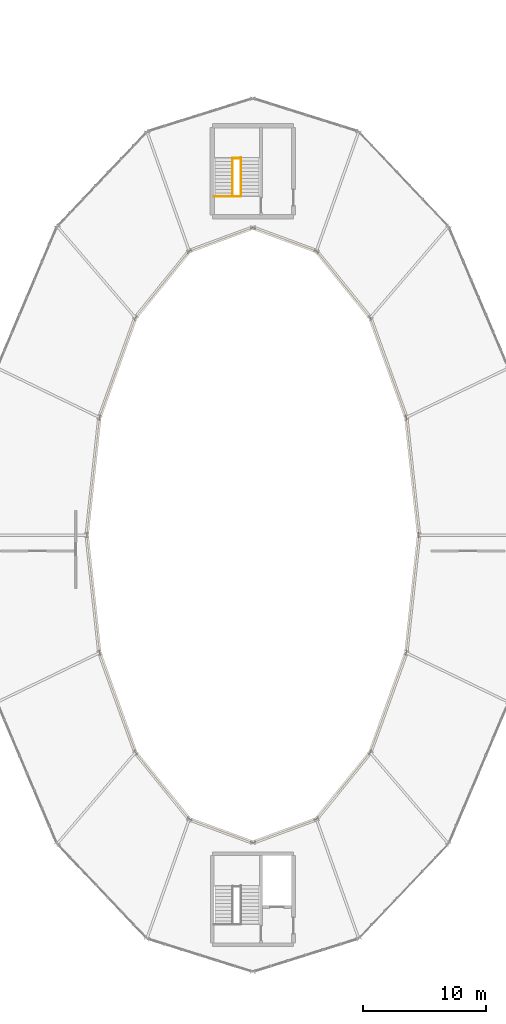
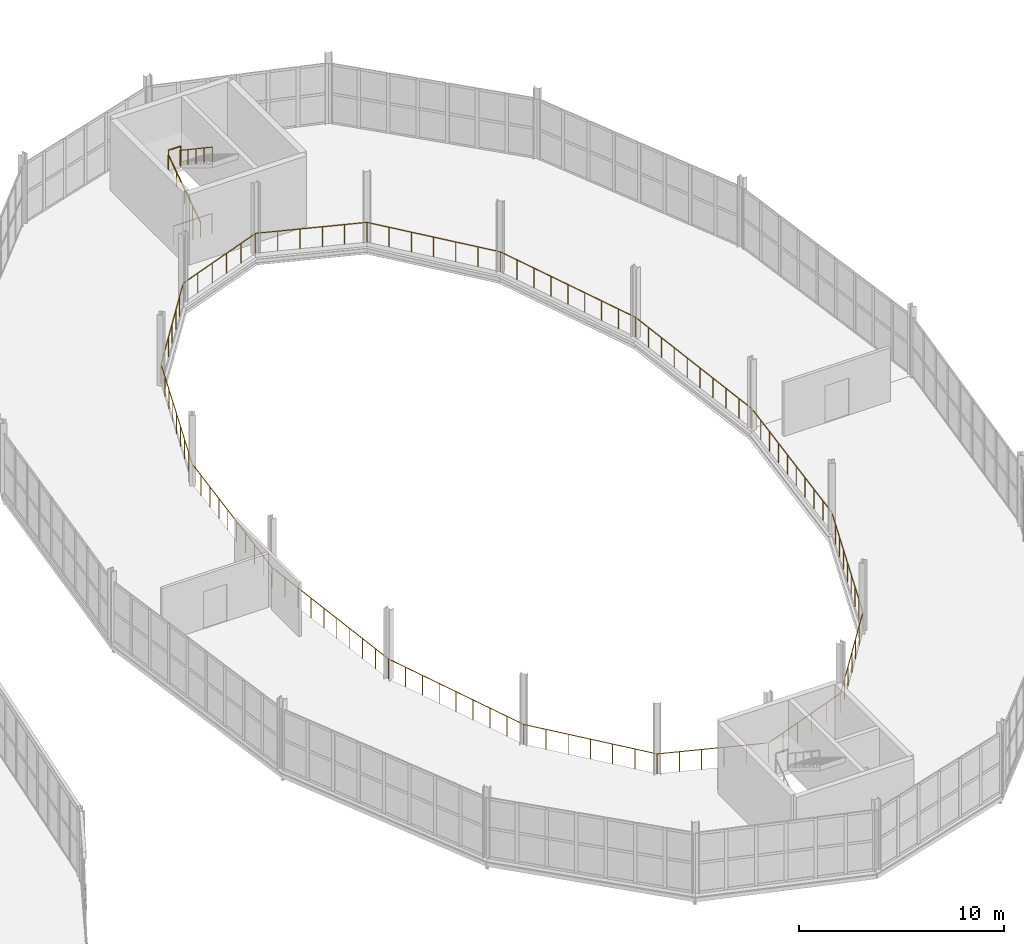
# One storey, part 158 of 161: 5 railings.
"""IFC4 building model written with IfcOpenShell, lengths in metres."""

from ifc_helpers import new_model, si_unit, direction, frame, origin, origin_2d, place, context, subcontext, project, spatial, circle, extrude, material, type_object, element, save


model = new_model("IFC4")

# Units and contexts
model_context = context("Model", 3, precision=1e-05, world=origin(), true_north=direction((0.0, 1.0)))
body_context = subcontext(model_context, "Body", "Model", "MODEL_VIEW")
ifc_project = project(units=[si_unit("LENGTHUNIT", "METRE"), si_unit("AREAUNIT", "SQUARE_METRE"), si_unit("VOLUMEUNIT", "CUBIC_METRE"), si_unit("PLANEANGLEUNIT", "RADIAN"), si_unit("MASSUNIT", "GRAM", prefix="KILO")], contexts=[model_context])

# Site, building, storey
site_placement = place(None, origin())
site = spatial("IfcSite", under=ifc_project, at=site_placement, CompositionType="ELEMENT")
building_placement = place(site_placement, origin())
building = spatial("IfcBuilding", under=site, at=building_placement, Name="Kildeholm Park Wholesale Market", CompositionType="ELEMENT")
storey_placement = place(building_placement, frame((0.0, 0.0, 5.39990234375)))
storey = spatial("IfcBuildingStorey", under=building, at=storey_placement, Name="L01", CompositionType="ELEMENT", Elevation=5.39990234375)

# Railings
ifc_material_1 = material(Name="Painted steel and laminated glass balustrade", Category="steel")
railing_type_1 = type_object("IfcRailingType", Name="Interior gallery and stairwell guard GR-IN1 1200 mm", PredefinedType="GUARDRAIL", material=ifc_material_1)
railing_1_placement = place(storey_placement, frame((184.860107421875, 122.030029296875, 0.0)))
element("IfcRailing", 1, at=railing_1_placement, inside=storey, type_object=railing_type_1, Name="Stair C13 upper floor well guard L01 RLG-0139", PredefinedType="GUARDRAIL", context=body_context, shape_type="SweptSolid", body=[
    extrude(circle(Radius=0.02392578125, at=origin_2d()), frame((0.0, 0.0, 1.17578125), z_axis=(1.0, 0.0, 0.0), x_axis=(0.0, 1.0, 0.0)), (0.0, 0.0, 1.0), 2.14990234375),
    extrude(circle(Radius=0.02099609375, at=origin_2d()), origin(), (0.0, 0.0, 1.0), 1.15185546875),
    extrude(circle(Radius=0.02099609375, at=origin_2d()), frame((1.074951171875, 0.0, 0.0)), (0.0, 0.0, 1.0), 1.15185546875),
    extrude(circle(Radius=0.02099609375, at=origin_2d()), frame((2.14990234375, 0.0, 0.0)), (0.0, 0.0, 1.0), 1.15185546875),
])
railing_2_placement = place(storey_placement, frame((186.360107421875, 125.14501953125, 2.10009765625)))
element("IfcRailing", 2, at=railing_2_placement, inside=storey, type_object=railing_type_1, Name="Stair C13 half-landing well guard L01 RLG-0142", PredefinedType="GUARDRAIL", context=body_context, shape_type="SweptSolid", body=[
    extrude(circle(Radius=0.02392578125, at=origin_2d()), frame((0.0, 0.0, 1.17578125), z_axis=(1.0, 0.0, 0.0), x_axis=(0.0, 1.0, 0.0)), (0.0, 0.0, 1.0), 0.68994140625),
    extrude(circle(Radius=0.02099609375, at=origin_2d()), origin(), (0.0, 0.0, 1.0), 1.15185546875),
    extrude(circle(Radius=0.02099609375, at=origin_2d()), frame((0.68994140625, 0.0, 0.0)), (0.0, 0.0, 1.0), 1.15185546875),
])
railing_3_placement = place(storey_placement, frame((201.5, 94.5, 0.0)))
element("IfcRailing", 3, at=railing_3_placement, inside=storey, type_object=railing_type_1, Name="Oval hall L01 gallery balustrade RLG-0179", PredefinedType="GUARDRAIL", context=body_context, shape_type="SweptSolid", body=[
    extrude(circle(Radius=0.02392578125, at=origin_2d()), frame((0.0, 0.0, 1.17578125), z_axis=(-0.106846684142, 0.99427550814, 0.0), x_axis=(-0.99427550814, -0.106846684142, 0.0)), (0.0, 0.0, 1.0), 9.6220703125),
    extrude(circle(Radius=0.02392578125, at=origin_2d()), frame((-1.028076171875, 9.56689453125, 1.17578125), z_axis=(-0.339339006409, 0.940664147679, 0.0), x_axis=(-0.940664147679, -0.339339006409, 0.0)), (0.0, 0.0, 1.0), 8.622802734375),
    extrude(circle(Radius=0.02392578125, at=origin_2d()), frame((-3.9541015625, 17.677978515625, 1.17578125), z_axis=(-0.628601322688, 0.777727701136, 0.0), x_axis=(-0.777727701136, -0.628601322688, 0.0)), (0.0, 0.0, 1.0), 6.9677734375),
    extrude(circle(Radius=0.02392578125, at=origin_2d()), frame((-8.333984375, 23.096923828125, 1.17578125), z_axis=(-0.93835447313, 0.345674532989, 0.0), x_axis=(-0.345674532989, -0.93835447313, 0.0)), (0.0, 0.0, 1.0), 5.50537109375),
    extrude(circle(Radius=0.02392578125, at=origin_2d()), frame((-13.5, 25.0, 1.17578125), z_axis=(-0.93835447313, -0.345674532989, 0.0), x_axis=(0.345674532989, -0.93835447313, 0.0)), (0.0, 0.0, 1.0), 5.50537109375),
    extrude(circle(Radius=0.02392578125, at=origin_2d()), frame((-18.666015625, 23.096923828125, 1.17578125), z_axis=(-0.628601322688, -0.777727701136, 0.0), x_axis=(0.777727701136, -0.628601322688, 0.0)), (0.0, 0.0, 1.0), 6.9677734375),
    extrude(circle(Radius=0.02392578125, at=origin_2d()), frame((-23.0458984375, 17.677978515625, 1.17578125), z_axis=(-0.339339006409, -0.940664147679, 0.0), x_axis=(0.940664147679, -0.339339006409, 0.0)), (0.0, 0.0, 1.0), 8.622802734375),
    extrude(circle(Radius=0.02392578125, at=origin_2d()), frame((-25.971923828125, 9.56689453125, 1.17578125), z_axis=(-0.106846684142, -0.99427550814, 0.0), x_axis=(0.99427550814, -0.106846684142, 0.0)), (0.0, 0.0, 1.0), 9.6220703125),
    extrude(circle(Radius=0.02392578125, at=origin_2d()), frame((-27.0, 0.0, 1.17578125), z_axis=(0.106846684142, -0.99427550814, 0.0), x_axis=(0.99427550814, 0.106846684142, 0.0)), (0.0, 0.0, 1.0), 9.6220703125),
    extrude(circle(Radius=0.02392578125, at=origin_2d()), frame((-25.971923828125, -9.56689453125, 1.17578125), z_axis=(0.339339006409, -0.940664147679, 0.0), x_axis=(0.940664147679, 0.339339006409, 0.0)), (0.0, 0.0, 1.0), 8.622802734375),
    extrude(circle(Radius=0.02392578125, at=origin_2d()), frame((-23.0458984375, -17.677978515625, 1.17578125), z_axis=(0.628601322688, -0.777727701136, 0.0), x_axis=(0.777727701136, 0.628601322688, 0.0)), (0.0, 0.0, 1.0), 6.9677734375),
    extrude(circle(Radius=0.02392578125, at=origin_2d()), frame((-18.666015625, -23.096923828125, 1.17578125), z_axis=(0.93835447313, -0.345674532989, 0.0), x_axis=(0.345674532989, 0.93835447313, 0.0)), (0.0, 0.0, 1.0), 5.50537109375),
    extrude(circle(Radius=0.02392578125, at=origin_2d()), frame((-13.5, -25.0, 1.17578125), z_axis=(0.93835447313, 0.345674532989, 0.0), x_axis=(-0.345674532989, 0.93835447313, 0.0)), (0.0, 0.0, 1.0), 5.50537109375),
    extrude(circle(Radius=0.02392578125, at=origin_2d()), frame((-8.333984375, -23.096923828125, 1.17578125), z_axis=(0.628601322688, 0.777727701136, 0.0), x_axis=(-0.777727701136, 0.628601322688, 0.0)), (0.0, 0.0, 1.0), 6.9677734375),
    extrude(circle(Radius=0.02392578125, at=origin_2d()), frame((-3.9541015625, -17.677978515625, 1.17578125), z_axis=(0.339339006409, 0.940664147679, 0.0), x_axis=(-0.940664147679, 0.339339006409, 0.0)), (0.0, 0.0, 1.0), 8.622802734375),
    extrude(circle(Radius=0.02392578125, at=origin_2d()), frame((-1.028076171875, -9.56689453125, 1.17578125), z_axis=(0.106846684142, 0.99427550814, 0.0), x_axis=(-0.99427550814, 0.106846684142, 0.0)), (0.0, 0.0, 1.0), 9.6220703125),
    extrude(circle(Radius=0.02099609375, at=origin_2d()), origin(), (0.0, 0.0, 1.0), 1.15185546875),
    extrude(circle(Radius=0.02099609375, at=origin_2d()), frame((-0.1142578125, 1.06298828125, 0.0)), (0.0, 0.0, 1.0), 1.15185546875),
    extrude(circle(Radius=0.02099609375, at=origin_2d()), frame((-0.228515625, 2.1259765625, 0.0)), (0.0, 0.0, 1.0), 1.15185546875),
    extrude(circle(Radius=0.02099609375, at=origin_2d()), frame((-0.3427734375, 3.18896484375, 0.0)), (0.0, 0.0, 1.0), 1.15185546875),
    extrude(circle(Radius=0.02099609375, at=origin_2d()), frame((-0.45703125, 4.251953125, 0.0)), (0.0, 0.0, 1.0), 1.15185546875),
    extrude(circle(Radius=0.02099609375, at=origin_2d()), frame((-0.571044921875, 5.31494140625, 0.0)), (0.0, 0.0, 1.0), 1.15185546875),
    extrude(circle(Radius=0.02099609375, at=origin_2d()), frame((-0.685302734375, 6.3779296875, 0.0)), (0.0, 0.0, 1.0), 1.15185546875),
    extrude(circle(Radius=0.02099609375, at=origin_2d()), frame((-0.799560546875, 7.44091796875, 0.0)), (0.0, 0.0, 1.0), 1.15185546875),
    extrude(circle(Radius=0.02099609375, at=origin_2d()), frame((-0.913818359375, 8.50390625, 0.0)), (0.0, 0.0, 1.0), 1.15185546875),
    extrude(circle(Radius=0.02099609375, at=origin_2d()), frame((-1.028076171875, 9.56689453125, 0.0)), (0.0, 0.0, 1.0), 1.15185546875),
    extrude(circle(Radius=0.02099609375, at=origin_2d()), frame((-1.393798828125, 10.580810546875, 0.0)), (0.0, 0.0, 1.0), 1.15185546875),
    extrude(circle(Radius=0.02099609375, at=origin_2d()), frame((-1.759521484375, 11.5947265625, 0.0)), (0.0, 0.0, 1.0), 1.15185546875),
    extrude(circle(Radius=0.02099609375, at=origin_2d()), frame((-2.125244140625, 12.608642578125, 0.0)), (0.0, 0.0, 1.0), 1.15185546875),
    extrude(circle(Radius=0.02099609375, at=origin_2d()), frame((-2.4912109375, 13.62255859375, 0.0)), (0.0, 0.0, 1.0), 1.15185546875),
    extrude(circle(Radius=0.02099609375, at=origin_2d()), frame((-2.85693359375, 14.63623046875, 0.0)), (0.0, 0.0, 1.0), 1.15185546875),
    extrude(circle(Radius=0.02099609375, at=origin_2d()), frame((-3.22265625, 15.650146484375, 0.0)), (0.0, 0.0, 1.0), 1.15185546875),
    extrude(circle(Radius=0.02099609375, at=origin_2d()), frame((-3.58837890625, 16.6640625, 0.0)), (0.0, 0.0, 1.0), 1.15185546875),
    extrude(circle(Radius=0.02099609375, at=origin_2d()), frame((-3.9541015625, 17.677978515625, 0.0)), (0.0, 0.0, 1.0), 1.15185546875),
    extrude(circle(Radius=0.02099609375, at=origin_2d()), frame((-4.68408203125, 18.5810546875, 0.0)), (0.0, 0.0, 1.0), 1.15185546875),
    extrude(circle(Radius=0.02099609375, at=origin_2d()), frame((-5.4140625, 19.484375, 0.0)), (0.0, 0.0, 1.0), 1.15185546875),
    extrude(circle(Radius=0.02099609375, at=origin_2d()), frame((-6.14404296875, 20.387451171875, 0.0)), (0.0, 0.0, 1.0), 1.15185546875),
    extrude(circle(Radius=0.02099609375, at=origin_2d()), frame((-6.8740234375, 21.29052734375, 0.0)), (0.0, 0.0, 1.0), 1.15185546875),
    extrude(circle(Radius=0.02099609375, at=origin_2d()), frame((-7.60400390625, 22.19384765625, 0.0)), (0.0, 0.0, 1.0), 1.15185546875),
    extrude(circle(Radius=0.02099609375, at=origin_2d()), frame((-8.333984375, 23.096923828125, 0.0)), (0.0, 0.0, 1.0), 1.15185546875),
    extrude(circle(Radius=0.02099609375, at=origin_2d()), frame((-9.3671875, 23.4775390625, 0.0)), (0.0, 0.0, 1.0), 1.15185546875),
    extrude(circle(Radius=0.02099609375, at=origin_2d()), frame((-10.400390625, 23.858154296875, 0.0)), (0.0, 0.0, 1.0), 1.15185546875),
    extrude(circle(Radius=0.02099609375, at=origin_2d()), frame((-11.43359375, 24.23876953125, 0.0)), (0.0, 0.0, 1.0), 1.15185546875),
    extrude(circle(Radius=0.02099609375, at=origin_2d()), frame((-12.466796875, 24.619384765625, 0.0)), (0.0, 0.0, 1.0), 1.15185546875),
    extrude(circle(Radius=0.02099609375, at=origin_2d()), frame((-13.5, 25.0, 0.0)), (0.0, 0.0, 1.0), 1.15185546875),
    extrude(circle(Radius=0.02099609375, at=origin_2d()), frame((-14.533203125, 24.619384765625, 0.0)), (0.0, 0.0, 1.0), 1.15185546875),
    extrude(circle(Radius=0.02099609375, at=origin_2d()), frame((-15.56640625, 24.23876953125, 0.0)), (0.0, 0.0, 1.0), 1.15185546875),
    extrude(circle(Radius=0.02099609375, at=origin_2d()), frame((-16.599609375, 23.858154296875, 0.0)), (0.0, 0.0, 1.0), 1.15185546875),
    extrude(circle(Radius=0.02099609375, at=origin_2d()), frame((-17.6328125, 23.4775390625, 0.0)), (0.0, 0.0, 1.0), 1.15185546875),
    extrude(circle(Radius=0.02099609375, at=origin_2d()), frame((-18.666015625, 23.096923828125, 0.0)), (0.0, 0.0, 1.0), 1.15185546875),
    extrude(circle(Radius=0.02099609375, at=origin_2d()), frame((-19.39599609375, 22.19384765625, 0.0)), (0.0, 0.0, 1.0), 1.15185546875),
    extrude(circle(Radius=0.02099609375, at=origin_2d()), frame((-20.1259765625, 21.29052734375, 0.0)), (0.0, 0.0, 1.0), 1.15185546875),
    extrude(circle(Radius=0.02099609375, at=origin_2d()), frame((-20.85595703125, 20.387451171875, 0.0)), (0.0, 0.0, 1.0), 1.15185546875),
    extrude(circle(Radius=0.02099609375, at=origin_2d()), frame((-21.5859375, 19.484375, 0.0)), (0.0, 0.0, 1.0), 1.15185546875),
    extrude(circle(Radius=0.02099609375, at=origin_2d()), frame((-22.31591796875, 18.5810546875, 0.0)), (0.0, 0.0, 1.0), 1.15185546875),
    extrude(circle(Radius=0.02099609375, at=origin_2d()), frame((-23.0458984375, 17.677978515625, 0.0)), (0.0, 0.0, 1.0), 1.15185546875),
    extrude(circle(Radius=0.02099609375, at=origin_2d()), frame((-23.41162109375, 16.6640625, 0.0)), (0.0, 0.0, 1.0), 1.15185546875),
    extrude(circle(Radius=0.02099609375, at=origin_2d()), frame((-23.77734375, 15.650146484375, 0.0)), (0.0, 0.0, 1.0), 1.15185546875),
    extrude(circle(Radius=0.02099609375, at=origin_2d()), frame((-24.14306640625, 14.63623046875, 0.0)), (0.0, 0.0, 1.0), 1.15185546875),
    extrude(circle(Radius=0.02099609375, at=origin_2d()), frame((-24.5087890625, 13.62255859375, 0.0)), (0.0, 0.0, 1.0), 1.15185546875),
    extrude(circle(Radius=0.02099609375, at=origin_2d()), frame((-24.874755859375, 12.608642578125, 0.0)), (0.0, 0.0, 1.0), 1.15185546875),
    extrude(circle(Radius=0.02099609375, at=origin_2d()), frame((-25.240478515625, 11.5947265625, 0.0)), (0.0, 0.0, 1.0), 1.15185546875),
    extrude(circle(Radius=0.02099609375, at=origin_2d()), frame((-25.606201171875, 10.580810546875, 0.0)), (0.0, 0.0, 1.0), 1.15185546875),
    extrude(circle(Radius=0.02099609375, at=origin_2d()), frame((-25.971923828125, 9.56689453125, 0.0)), (0.0, 0.0, 1.0), 1.15185546875),
    extrude(circle(Radius=0.02099609375, at=origin_2d()), frame((-26.086181640625, 8.50390625, 0.0)), (0.0, 0.0, 1.0), 1.15185546875),
    extrude(circle(Radius=0.02099609375, at=origin_2d()), frame((-26.200439453125, 7.44091796875, 0.0)), (0.0, 0.0, 1.0), 1.15185546875),
    extrude(circle(Radius=0.02099609375, at=origin_2d()), frame((-26.314697265625, 6.3779296875, 0.0)), (0.0, 0.0, 1.0), 1.15185546875),
    extrude(circle(Radius=0.02099609375, at=origin_2d()), frame((-26.428955078125, 5.31494140625, 0.0)), (0.0, 0.0, 1.0), 1.15185546875),
    extrude(circle(Radius=0.02099609375, at=origin_2d()), frame((-26.54296875, 4.251953125, 0.0)), (0.0, 0.0, 1.0), 1.15185546875),
    extrude(circle(Radius=0.02099609375, at=origin_2d()), frame((-26.6572265625, 3.18896484375, 0.0)), (0.0, 0.0, 1.0), 1.15185546875),
    extrude(circle(Radius=0.02099609375, at=origin_2d()), frame((-26.771484375, 2.1259765625, 0.0)), (0.0, 0.0, 1.0), 1.15185546875),
    extrude(circle(Radius=0.02099609375, at=origin_2d()), frame((-26.8857421875, 1.06298828125, 0.0)), (0.0, 0.0, 1.0), 1.15185546875),
    extrude(circle(Radius=0.02099609375, at=origin_2d()), frame((-27.0, 0.0, 0.0)), (0.0, 0.0, 1.0), 1.15185546875),
    extrude(circle(Radius=0.02099609375, at=origin_2d()), frame((-26.8857421875, -1.06298828125, 0.0)), (0.0, 0.0, 1.0), 1.15185546875),
    extrude(circle(Radius=0.02099609375, at=origin_2d()), frame((-26.771484375, -2.1259765625, 0.0)), (0.0, 0.0, 1.0), 1.15185546875),
    extrude(circle(Radius=0.02099609375, at=origin_2d()), frame((-26.6572265625, -3.18896484375, 0.0)), (0.0, 0.0, 1.0), 1.15185546875),
    extrude(circle(Radius=0.02099609375, at=origin_2d()), frame((-26.54296875, -4.251953125, 0.0)), (0.0, 0.0, 1.0), 1.15185546875),
    extrude(circle(Radius=0.02099609375, at=origin_2d()), frame((-26.428955078125, -5.31494140625, 0.0)), (0.0, 0.0, 1.0), 1.15185546875),
    extrude(circle(Radius=0.02099609375, at=origin_2d()), frame((-26.314697265625, -6.3779296875, 0.0)), (0.0, 0.0, 1.0), 1.15185546875),
    extrude(circle(Radius=0.02099609375, at=origin_2d()), frame((-26.200439453125, -7.44091796875, 0.0)), (0.0, 0.0, 1.0), 1.15185546875),
    extrude(circle(Radius=0.02099609375, at=origin_2d()), frame((-26.086181640625, -8.50390625, 0.0)), (0.0, 0.0, 1.0), 1.15185546875),
    extrude(circle(Radius=0.02099609375, at=origin_2d()), frame((-25.971923828125, -9.56689453125, 0.0)), (0.0, 0.0, 1.0), 1.15185546875),
    extrude(circle(Radius=0.02099609375, at=origin_2d()), frame((-25.606201171875, -10.580810546875, 0.0)), (0.0, 0.0, 1.0), 1.15185546875),
    extrude(circle(Radius=0.02099609375, at=origin_2d()), frame((-25.240478515625, -11.5947265625, 0.0)), (0.0, 0.0, 1.0), 1.15185546875),
    extrude(circle(Radius=0.02099609375, at=origin_2d()), frame((-24.874755859375, -12.608642578125, 0.0)), (0.0, 0.0, 1.0), 1.15185546875),
    extrude(circle(Radius=0.02099609375, at=origin_2d()), frame((-24.5087890625, -13.62255859375, 0.0)), (0.0, 0.0, 1.0), 1.15185546875),
    extrude(circle(Radius=0.02099609375, at=origin_2d()), frame((-24.14306640625, -14.63623046875, 0.0)), (0.0, 0.0, 1.0), 1.15185546875),
    extrude(circle(Radius=0.02099609375, at=origin_2d()), frame((-23.77734375, -15.650146484375, 0.0)), (0.0, 0.0, 1.0), 1.15185546875),
    extrude(circle(Radius=0.02099609375, at=origin_2d()), frame((-23.41162109375, -16.6640625, 0.0)), (0.0, 0.0, 1.0), 1.15185546875),
    extrude(circle(Radius=0.02099609375, at=origin_2d()), frame((-23.0458984375, -17.677978515625, 0.0)), (0.0, 0.0, 1.0), 1.15185546875),
    extrude(circle(Radius=0.02099609375, at=origin_2d()), frame((-22.31591796875, -18.5810546875, 0.0)), (0.0, 0.0, 1.0), 1.15185546875),
    extrude(circle(Radius=0.02099609375, at=origin_2d()), frame((-21.5859375, -19.484375, 0.0)), (0.0, 0.0, 1.0), 1.15185546875),
    extrude(circle(Radius=0.02099609375, at=origin_2d()), frame((-20.85595703125, -20.387451171875, 0.0)), (0.0, 0.0, 1.0), 1.15185546875),
    extrude(circle(Radius=0.02099609375, at=origin_2d()), frame((-20.1259765625, -21.29052734375, 0.0)), (0.0, 0.0, 1.0), 1.15185546875),
    extrude(circle(Radius=0.02099609375, at=origin_2d()), frame((-19.39599609375, -22.19384765625, 0.0)), (0.0, 0.0, 1.0), 1.15185546875),
    extrude(circle(Radius=0.02099609375, at=origin_2d()), frame((-18.666015625, -23.096923828125, 0.0)), (0.0, 0.0, 1.0), 1.15185546875),
    extrude(circle(Radius=0.02099609375, at=origin_2d()), frame((-17.6328125, -23.4775390625, 0.0)), (0.0, 0.0, 1.0), 1.15185546875),
    extrude(circle(Radius=0.02099609375, at=origin_2d()), frame((-16.599609375, -23.858154296875, 0.0)), (0.0, 0.0, 1.0), 1.15185546875),
    extrude(circle(Radius=0.02099609375, at=origin_2d()), frame((-15.56640625, -24.23876953125, 0.0)), (0.0, 0.0, 1.0), 1.15185546875),
    extrude(circle(Radius=0.02099609375, at=origin_2d()), frame((-14.533203125, -24.619384765625, 0.0)), (0.0, 0.0, 1.0), 1.15185546875),
    extrude(circle(Radius=0.02099609375, at=origin_2d()), frame((-13.5, -25.0, 0.0)), (0.0, 0.0, 1.0), 1.15185546875),
    extrude(circle(Radius=0.02099609375, at=origin_2d()), frame((-12.466796875, -24.619384765625, 0.0)), (0.0, 0.0, 1.0), 1.15185546875),
    extrude(circle(Radius=0.02099609375, at=origin_2d()), frame((-11.43359375, -24.23876953125, 0.0)), (0.0, 0.0, 1.0), 1.15185546875),
    extrude(circle(Radius=0.02099609375, at=origin_2d()), frame((-10.400390625, -23.858154296875, 0.0)), (0.0, 0.0, 1.0), 1.15185546875),
    extrude(circle(Radius=0.02099609375, at=origin_2d()), frame((-9.3671875, -23.4775390625, 0.0)), (0.0, 0.0, 1.0), 1.15185546875),
    extrude(circle(Radius=0.02099609375, at=origin_2d()), frame((-8.333984375, -23.096923828125, 0.0)), (0.0, 0.0, 1.0), 1.15185546875),
    extrude(circle(Radius=0.02099609375, at=origin_2d()), frame((-7.60400390625, -22.19384765625, 0.0)), (0.0, 0.0, 1.0), 1.15185546875),
    extrude(circle(Radius=0.02099609375, at=origin_2d()), frame((-6.8740234375, -21.29052734375, 0.0)), (0.0, 0.0, 1.0), 1.15185546875),
    extrude(circle(Radius=0.02099609375, at=origin_2d()), frame((-6.14404296875, -20.387451171875, 0.0)), (0.0, 0.0, 1.0), 1.15185546875),
    extrude(circle(Radius=0.02099609375, at=origin_2d()), frame((-5.4140625, -19.484375, 0.0)), (0.0, 0.0, 1.0), 1.15185546875),
    extrude(circle(Radius=0.02099609375, at=origin_2d()), frame((-4.68408203125, -18.5810546875, 0.0)), (0.0, 0.0, 1.0), 1.15185546875),
    extrude(circle(Radius=0.02099609375, at=origin_2d()), frame((-3.9541015625, -17.677978515625, 0.0)), (0.0, 0.0, 1.0), 1.15185546875),
    extrude(circle(Radius=0.02099609375, at=origin_2d()), frame((-3.58837890625, -16.6640625, 0.0)), (0.0, 0.0, 1.0), 1.15185546875),
    extrude(circle(Radius=0.02099609375, at=origin_2d()), frame((-3.22265625, -15.650146484375, 0.0)), (0.0, 0.0, 1.0), 1.15185546875),
    extrude(circle(Radius=0.02099609375, at=origin_2d()), frame((-2.85693359375, -14.63623046875, 0.0)), (0.0, 0.0, 1.0), 1.15185546875),
    extrude(circle(Radius=0.02099609375, at=origin_2d()), frame((-2.4912109375, -13.62255859375, 0.0)), (0.0, 0.0, 1.0), 1.15185546875),
    extrude(circle(Radius=0.02099609375, at=origin_2d()), frame((-2.125244140625, -12.608642578125, 0.0)), (0.0, 0.0, 1.0), 1.15185546875),
    extrude(circle(Radius=0.02099609375, at=origin_2d()), frame((-1.759521484375, -11.5947265625, 0.0)), (0.0, 0.0, 1.0), 1.15185546875),
    extrude(circle(Radius=0.02099609375, at=origin_2d()), frame((-1.393798828125, -10.580810546875, 0.0)), (0.0, 0.0, 1.0), 1.15185546875),
    extrude(circle(Radius=0.02099609375, at=origin_2d()), frame((-1.028076171875, -9.56689453125, 0.0)), (0.0, 0.0, 1.0), 1.15185546875),
    extrude(circle(Radius=0.02099609375, at=origin_2d()), frame((-0.913818359375, -8.50390625, 0.0)), (0.0, 0.0, 1.0), 1.15185546875),
    extrude(circle(Radius=0.02099609375, at=origin_2d()), frame((-0.799560546875, -7.44091796875, 0.0)), (0.0, 0.0, 1.0), 1.15185546875),
    extrude(circle(Radius=0.02099609375, at=origin_2d()), frame((-0.685302734375, -6.3779296875, 0.0)), (0.0, 0.0, 1.0), 1.15185546875),
    extrude(circle(Radius=0.02099609375, at=origin_2d()), frame((-0.571044921875, -5.31494140625, 0.0)), (0.0, 0.0, 1.0), 1.15185546875),
    extrude(circle(Radius=0.02099609375, at=origin_2d()), frame((-0.45703125, -4.251953125, 0.0)), (0.0, 0.0, 1.0), 1.15185546875),
    extrude(circle(Radius=0.02099609375, at=origin_2d()), frame((-0.3427734375, -3.18896484375, 0.0)), (0.0, 0.0, 1.0), 1.15185546875),
    extrude(circle(Radius=0.02099609375, at=origin_2d()), frame((-0.228515625, -2.1259765625, 0.0)), (0.0, 0.0, 1.0), 1.15185546875),
    extrude(circle(Radius=0.02099609375, at=origin_2d()), frame((-0.1142578125, -1.06298828125, 0.0)), (0.0, 0.0, 1.0), 1.15185546875),
])
ifc_material_2 = material(Name="Stainless steel AISI 316 handrail", Category="steel")
railing_type_2 = type_object("IfcRailingType", Name="Stair flight handrail HR-IN1 900 mm", PredefinedType="HANDRAIL", material=ifc_material_2)
railing_4_placement = place(storey_placement, frame((186.360107421875, 122.02001953125, 0.0)))
element("IfcRailing", 4, at=railing_4_placement, inside=storey, type_object=railing_type_2, Name="Stair C13 flight 1 handrail L01 RLG-0144", PredefinedType="HANDRAIL", context=body_context, shape_type="SweptSolid", body=[
    extrude(circle(Radius=0.02392578125, at=origin_2d()), frame((0.0, 0.0, 0.8759765625), z_axis=(0.0, 0.830813955726, 0.556550241192), x_axis=(-1.0, 0.0, 0.0)), (0.0, 0.0, 1.0), 3.7734375),
    extrude(circle(Radius=0.02099609375, at=origin_2d()), origin(), (0.0, 0.0, 1.0), 0.851806640625),
    extrude(circle(Radius=0.02099609375, at=origin_2d()), frame((0.0, 0.78369140625, 0.52490234375)), (0.0, 0.0, 1.0), 0.851806640625),
    extrude(circle(Radius=0.02099609375, at=origin_2d()), frame((0.0, 1.5673828125, 1.050048828125)), (0.0, 0.0, 1.0), 0.851806640625),
    extrude(circle(Radius=0.02099609375, at=origin_2d()), frame((0.0, 2.351318359375, 1.5751953125)), (0.0, 0.0, 1.0), 0.851806640625),
    extrude(circle(Radius=0.02099609375, at=origin_2d()), frame((0.0, 3.135009765625, 2.10009765625)), (0.0, 0.0, 1.0), 0.851806640625),
])
railing_5_placement = place(storey_placement, frame((187.050048828125, 125.215087890625, 2.10009765625)))
element("IfcRailing", 5, at=railing_5_placement, inside=storey, type_object=railing_type_2, Name="Stair C13 flight 2 handrail L01 RLG-0145", PredefinedType="HANDRAIL", context=body_context, shape_type="SweptSolid", body=[
    extrude(circle(Radius=0.02392578125, at=origin_2d()), frame((0.0, 0.0, 0.8759765625), z_axis=(0.0, -0.830813955726, 0.556550241192), x_axis=(1.0, 0.0, 0.0)), (0.0, 0.0, 1.0), 3.7734375),
    extrude(circle(Radius=0.02099609375, at=origin_2d()), origin(), (0.0, 0.0, 1.0), 0.851806640625),
    extrude(circle(Radius=0.02099609375, at=origin_2d()), frame((0.0, -0.78369140625, 0.52490234375)), (0.0, 0.0, 1.0), 0.851806640625),
    extrude(circle(Radius=0.02099609375, at=origin_2d()), frame((0.0, -1.5673828125, 1.050048828125)), (0.0, 0.0, 1.0), 0.851806640625),
    extrude(circle(Radius=0.02099609375, at=origin_2d()), frame((0.0, -2.351318359375, 1.5751953125)), (0.0, 0.0, 1.0), 0.851806640625),
    extrude(circle(Radius=0.02099609375, at=origin_2d()), frame((0.0, -3.135009765625, 2.10009765625)), (0.0, 0.0, 1.0), 0.851806640625),
])

save(model, "model.ifc")
